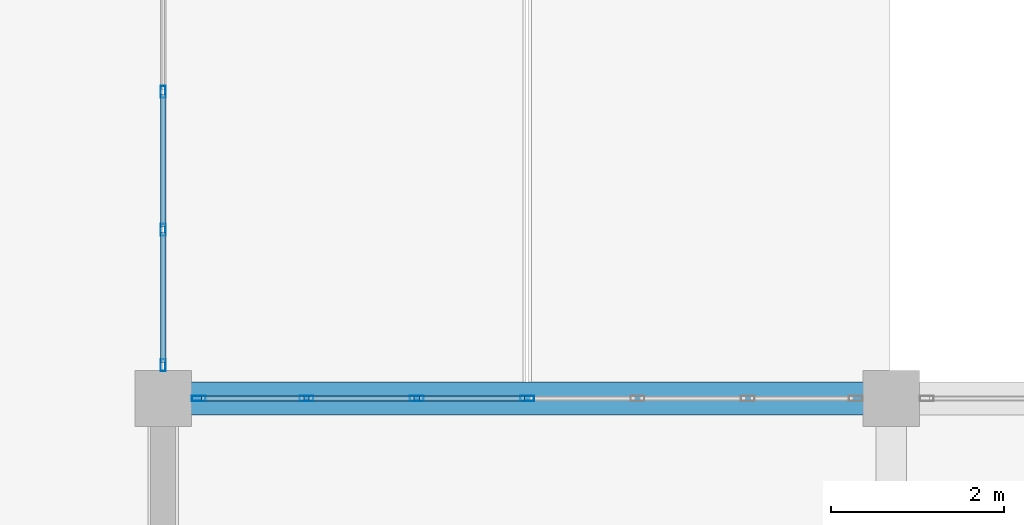
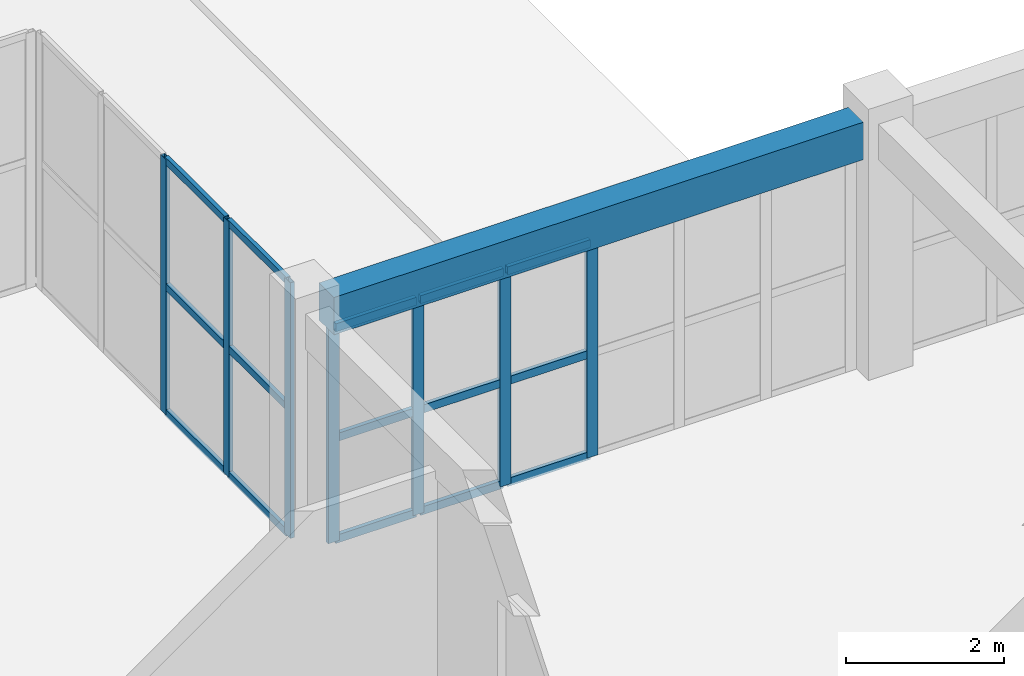
# One storey, part 38 of 90: 22 members, 1 beam, 2 elements without a shape of their own.
"""IFC4 building model written with IfcOpenShell, lengths in metres."""

from ifc_helpers import new_model, si_unit, direction, frame, origin, origin_2d, place, context, subcontext, project, spatial, rectangle, hollow_rectangle, extrude, material, layer, layer_set, material_profile, profile_set, type_object, element, aggregate, save


model = new_model("IFC4")

# Units and contexts
model_context = context("Model", 3, precision=1e-05, world=origin(), true_north=direction((0.0, 1.0)))
body_context = subcontext(model_context, "Body", "Model", "MODEL_VIEW")
ifc_project = project(units=[si_unit("LENGTHUNIT", "METRE"), si_unit("AREAUNIT", "SQUARE_METRE"), si_unit("VOLUMEUNIT", "CUBIC_METRE"), si_unit("PLANEANGLEUNIT", "RADIAN"), si_unit("MASSUNIT", "GRAM", prefix="KILO")], contexts=[model_context])

# Site, building, storey
site_placement = place(None, origin())
site = spatial("IfcSite", under=ifc_project, at=site_placement, CompositionType="ELEMENT")
building_placement = place(site_placement, origin())
building = spatial("IfcBuilding", under=site, at=building_placement, Name="Trelvath General Hospital", CompositionType="ELEMENT")
storey_placement = place(building_placement, frame((0.0, 0.0, 20.39990234375)))
storey = spatial("IfcBuildingStorey", under=building, at=storey_placement, Name="L05", CompositionType="ELEMENT", Elevation=20.39990234375)

# Beam
ifc_material_1 = material(Name="Concrete C35/45", Category="concrete")
ifc_material_profile_1 = material_profile(ifc_material_1, rectangle(XDim=0.3798828125, YDim=0.580078125, at=origin_2d()), Name="RCB380x580")
ifc_profile_set_1 = profile_set([ifc_material_profile_1], Name="Concrete C35/45")
beam_type = type_object("IfcBeamType", Name="Beam RC380x580", PredefinedType="BEAM", material=ifc_profile_set_1)
beam_placement = place(storey_placement, frame((75.919921875, 67.199951171875, 3.630126953125), z_axis=(1.0, 0.0, 0.0), x_axis=(0.0, 1.0, 0.0)))
element("IfcBeam", 1, at=beam_placement, inside=storey, type_object=beam_type, Name="Grid Beam BX-509I", PredefinedType="BEAM", context=body_context, shape_type="SweptSolid", body=[
    extrude(rectangle(XDim=0.3798828125, YDim=0.580078125, at=origin_2d()), origin(), (0.0, 0.0, 1.0), 7.760009765625),
])

# Curtain wall, members
ifc_material_2 = material(Name="Anodised aluminium and low-E glass", Category="aluminium")
ifc_layer_1 = layer(ifc_material_2, 0.14990234375)
ifc_layer_set_1 = layer_set([ifc_layer_1], Name="Anodised aluminium and low-E glass")
curtain_wall_type_1 = type_object("IfcCurtainWallType", Name="CW CrystalCube 636 396 15", PredefinedType="USERDEFINED", material=ifc_layer_set_1)
curtain_wall_1_placement = place(storey_placement, origin())
curtain_wall_1 = element("IfcCurtainWall", 2, at=curtain_wall_1_placement, inside=storey, type_object=curtain_wall_type_1, Name="Crystal Cube Curtain Wall CUBE-W-T2 E5 L05", ObjectType="Unitised Glazed Curtain Wall", PredefinedType="USERDEFINED")
ifc_material_3 = material(Name="Anodised aluminium", Category="aluminium")
ifc_material_profile_2 = material_profile(ifc_material_3, hollow_rectangle(XDim=0.06005859375, YDim=0.139892578125, WallThickness=0.00390625, at=origin_2d()), Name="RHS60x140x4")
ifc_profile_set_2 = profile_set([ifc_material_profile_2], Name="Anodised aluminium")
member_type_1 = type_object("IfcMemberType", Name="CurtainMullion 60x140", PredefinedType="MULLION", material=ifc_profile_set_2)
member_1_placement = place(storey_placement, frame((75.60009765625, 70.737548828125, 0.0), z_axis=(0.0, 0.0, 1.0), x_axis=(1.0, 0.0, 0.0)))
member_1 = element("IfcMember", 3, at=member_1_placement, type_object=member_type_1, Name="CW-314 mullion 3", PredefinedType="MULLION", context=body_context, shape_type="SweptSolid", body=[
    extrude(hollow_rectangle(XDim=0.06005859375, YDim=0.139892578125, WallThickness=0.00390625, at=origin_2d()), origin(), (0.0, 0.0, 1.0), 3.960205078125),
])
member_2_placement = place(storey_placement, frame((75.60009765625, 69.146240234375, 0.0), z_axis=(0.0, 0.0, 1.0), x_axis=(1.0, 0.0, 0.0)))
member_2 = element("IfcMember", 4, at=member_2_placement, type_object=member_type_1, Name="CW-314 mullion 4", PredefinedType="MULLION", context=body_context, shape_type="SweptSolid", body=[
    extrude(hollow_rectangle(XDim=0.06005859375, YDim=0.139892578125, WallThickness=0.00390625, at=origin_2d()), origin(), (0.0, 0.0, 1.0), 3.960205078125),
])
member_3_placement = place(storey_placement, frame((75.60009765625, 67.5849609375, 0.0), z_axis=(0.0, 0.0, 1.0), x_axis=(1.0, 0.0, 0.0)))
member_3 = element("IfcMember", 5, at=member_3_placement, type_object=member_type_1, Name="CW-314 mullion 5", PredefinedType="MULLION", context=body_context, shape_type="SweptSolid", body=[
    extrude(hollow_rectangle(XDim=0.06005859375, YDim=0.139892578125, WallThickness=0.00390625, at=origin_2d()), origin(), (0.0, 0.0, 1.0), 3.960205078125),
])

ifc_material_4 = material(Name="Anodised aluminium and low-E glass", Category="aluminium")
ifc_layer_2 = layer(ifc_material_4, 0.14990234375)
ifc_layer_set_2 = layer_set([ifc_layer_2], Name="Anodised aluminium and low-E glass")
curtain_wall_type_2 = type_object("IfcCurtainWallType", Name="CW Facade 764 334 15", PredefinedType="USERDEFINED", material=ifc_layer_set_2)
curtain_wall_2_placement = place(storey_placement, origin())
curtain_wall_2 = element("IfcCurtainWall", 6, at=curtain_wall_2_placement, inside=storey, type_object=curtain_wall_type_2, Name="Facade Curtain Wall CW-071", ObjectType="Unitised Glazed Curtain Wall", PredefinedType="USERDEFINED")
ifc_material_5 = material(Name="Anodised aluminium", Category="aluminium")
ifc_material_profile_3 = material_profile(ifc_material_5, hollow_rectangle(XDim=0.06005859375, YDim=0.159912109375, WallThickness=0.00390625, at=origin_2d()), Name="RHS60x160x4")
ifc_profile_set_3 = profile_set([ifc_material_profile_3], Name="Anodised aluminium")
member_type_2 = type_object("IfcMemberType", Name="CurtainMullion 60x160", PredefinedType="MULLION", material=ifc_profile_set_3)
member_4_placement = place(storey_placement, frame((76.010009765625, 67.199951171875, 0.0), z_axis=(0.0, 0.0, 1.0), x_axis=(0.0, 1.0, 0.0)))
member_4 = element("IfcMember", 7, at=member_4_placement, type_object=member_type_2, Name="CW-071 mullion 1", PredefinedType="MULLION", context=body_context, shape_type="SweptSolid", body=[
    extrude(hollow_rectangle(XDim=0.06005859375, YDim=0.159912109375, WallThickness=0.00390625, at=origin_2d()), origin(), (0.0, 0.0, 1.0), 3.340087890625),
])
member_5_placement = place(storey_placement, frame((77.25341796875, 67.199951171875, 0.0), z_axis=(0.0, 0.0, 1.0), x_axis=(0.0, 1.0, 0.0)))
member_5 = element("IfcMember", 8, at=member_5_placement, type_object=member_type_2, Name="CW-071 mullion 2", PredefinedType="MULLION", context=body_context, shape_type="SweptSolid", body=[
    extrude(hollow_rectangle(XDim=0.06005859375, YDim=0.159912109375, WallThickness=0.00390625, at=origin_2d()), origin(), (0.0, 0.0, 1.0), 3.340087890625),
])
member_6_placement = place(storey_placement, frame((78.526611328125, 67.199951171875, 0.0), z_axis=(0.0, 0.0, 1.0), x_axis=(0.0, 1.0, 0.0)))
member_6 = element("IfcMember", 9, at=member_6_placement, type_object=member_type_2, Name="CW-071 mullion 3", PredefinedType="MULLION", context=body_context, shape_type="SweptSolid", body=[
    extrude(hollow_rectangle(XDim=0.06005859375, YDim=0.159912109375, WallThickness=0.00390625, at=origin_2d()), origin(), (0.0, 0.0, 1.0), 3.340087890625),
])
member_7_placement = place(storey_placement, frame((79.800048828125, 67.199951171875, 0.0), z_axis=(0.0, 0.0, 1.0), x_axis=(0.0, 1.0, 0.0)))
member_7 = element("IfcMember", 10, at=member_7_placement, type_object=member_type_2, Name="CW-071 mullion 4", PredefinedType="MULLION", context=body_context, shape_type="SweptSolid", body=[
    extrude(hollow_rectangle(XDim=0.06005859375, YDim=0.159912109375, WallThickness=0.00390625, at=origin_2d()), origin(), (0.0, 0.0, 1.0), 3.340087890625),
])

# Member
ifc_material_6 = material(Name="Anodised aluminium", Category="aluminium")
ifc_material_profile_4 = material_profile(ifc_material_6, hollow_rectangle(XDim=0.06005859375, YDim=0.110107421875, WallThickness=0.00390625, at=origin_2d()), Name="RHS60x110x4")
ifc_profile_set_4 = profile_set([ifc_material_profile_4], Name="Anodised aluminium")
member_type_3 = type_object("IfcMemberType", Name="CurtainTransom 60x110", PredefinedType="USERDEFINED", material=ifc_profile_set_4)
member_8_placement = place(storey_placement, frame((75.60009765625, 70.70751953125, 0.030029296875), z_axis=(0.0, -1.0, 0.0), x_axis=(1.0, 0.0, 0.0)))
member_8 = element("IfcMember", 11, at=member_8_placement, type_object=member_type_3, Name="CW-314 transom 3.1", ObjectType="TRANSOM", PredefinedType="USERDEFINED", context=body_context, shape_type="SweptSolid", body=[
    extrude(hollow_rectangle(XDim=0.06005859375, YDim=0.110107421875, WallThickness=0.00390625, at=origin_2d()), origin(), (0.0, 0.0, 1.0), 1.53125),
])

member_9_placement = place(storey_placement, frame((75.60009765625, 70.70751953125, 1.97998046875), z_axis=(0.0, -1.0, 0.0), x_axis=(1.0, 0.0, 0.0)))
member_9 = element("IfcMember", 12, at=member_9_placement, type_object=member_type_3, Name="CW-314 transom 3.2", ObjectType="TRANSOM", PredefinedType="USERDEFINED", context=body_context, shape_type="SweptSolid", body=[
    extrude(hollow_rectangle(XDim=0.06005859375, YDim=0.110107421875, WallThickness=0.00390625, at=origin_2d()), origin(), (0.0, 0.0, 1.0), 1.53125),
])

member_10_placement = place(storey_placement, frame((75.60009765625, 70.70751953125, 3.93017578125), z_axis=(0.0, -1.0, 0.0), x_axis=(1.0, 0.0, 0.0)))
member_10 = element("IfcMember", 13, at=member_10_placement, type_object=member_type_3, Name="CW-314 transom 3.3", ObjectType="TRANSOM", PredefinedType="USERDEFINED", context=body_context, shape_type="SweptSolid", body=[
    extrude(hollow_rectangle(XDim=0.06005859375, YDim=0.110107421875, WallThickness=0.00390625, at=origin_2d()), origin(), (0.0, 0.0, 1.0), 1.53125),
])

member_11_placement = place(storey_placement, frame((75.60009765625, 69.1162109375, 0.030029296875), z_axis=(0.0, -1.0, 0.0), x_axis=(1.0, 0.0, 0.0)))
member_11 = element("IfcMember", 14, at=member_11_placement, type_object=member_type_3, Name="CW-314 transom 4.1", ObjectType="TRANSOM", PredefinedType="USERDEFINED", context=body_context, shape_type="SweptSolid", body=[
    extrude(hollow_rectangle(XDim=0.06005859375, YDim=0.110107421875, WallThickness=0.00390625, at=origin_2d()), origin(), (0.0, 0.0, 1.0), 1.501220703125),
])

member_12_placement = place(storey_placement, frame((75.60009765625, 69.1162109375, 1.97998046875), z_axis=(0.0, -1.0, 0.0), x_axis=(1.0, 0.0, 0.0)))
member_12 = element("IfcMember", 15, at=member_12_placement, type_object=member_type_3, Name="CW-314 transom 4.2", ObjectType="TRANSOM", PredefinedType="USERDEFINED", context=body_context, shape_type="SweptSolid", body=[
    extrude(hollow_rectangle(XDim=0.06005859375, YDim=0.110107421875, WallThickness=0.00390625, at=origin_2d()), origin(), (0.0, 0.0, 1.0), 1.501220703125),
])

member_13_placement = place(storey_placement, frame((75.60009765625, 69.1162109375, 3.93017578125), z_axis=(0.0, -1.0, 0.0), x_axis=(1.0, 0.0, 0.0)))
member_13 = element("IfcMember", 16, at=member_13_placement, type_object=member_type_3, Name="CW-314 transom 4.3", ObjectType="TRANSOM", PredefinedType="USERDEFINED", context=body_context, shape_type="SweptSolid", body=[
    extrude(hollow_rectangle(XDim=0.06005859375, YDim=0.110107421875, WallThickness=0.00390625, at=origin_2d()), origin(), (0.0, 0.0, 1.0), 1.501220703125),
])

aggregate(curtain_wall_1, [member_1, member_2, member_3, member_8, member_9, member_10, member_11, member_12, member_13])

ifc_material_7 = material(Name="Anodised aluminium", Category="aluminium")
ifc_material_profile_5 = material_profile(ifc_material_7, hollow_rectangle(XDim=0.06005859375, YDim=0.125, WallThickness=0.00390625, at=origin_2d()), Name="RHS60x125x4")
ifc_profile_set_5 = profile_set([ifc_material_profile_5], Name="Anodised aluminium")
member_type_4 = type_object("IfcMemberType", Name="CurtainTransom 60x125", PredefinedType="USERDEFINED", material=ifc_profile_set_5)
member_14_placement = place(storey_placement, frame((76.0400390625, 67.199951171875, 0.030029296875), z_axis=(1.0, 0.0, 0.0), x_axis=(0.0, 1.0, 0.0)))
member_14 = element("IfcMember", 17, at=member_14_placement, type_object=member_type_4, Name="CW-071 transom 1.1", ObjectType="TRANSOM", PredefinedType="USERDEFINED", context=body_context, shape_type="SweptSolid", body=[
    extrude(hollow_rectangle(XDim=0.06005859375, YDim=0.125, WallThickness=0.00390625, at=origin_2d()), origin(), (0.0, 0.0, 1.0), 1.183349609375),
])

member_15_placement = place(storey_placement, frame((76.0400390625, 67.199951171875, 1.60302734375), z_axis=(1.0, 0.0, 0.0), x_axis=(0.0, 1.0, 0.0)))
member_15 = element("IfcMember", 18, at=member_15_placement, type_object=member_type_4, Name="CW-071 transom 1.2", ObjectType="TRANSOM", PredefinedType="USERDEFINED", context=body_context, shape_type="SweptSolid", body=[
    extrude(hollow_rectangle(XDim=0.06005859375, YDim=0.125, WallThickness=0.00390625, at=origin_2d()), origin(), (0.0, 0.0, 1.0), 1.183349609375),
])

member_16_placement = place(storey_placement, frame((76.0400390625, 67.199951171875, 3.31005859375), z_axis=(1.0, 0.0, 0.0), x_axis=(0.0, 1.0, 0.0)))
member_16 = element("IfcMember", 19, at=member_16_placement, type_object=member_type_4, Name="CW-071 transom 1.3", ObjectType="TRANSOM", PredefinedType="USERDEFINED", context=body_context, shape_type="SweptSolid", body=[
    extrude(hollow_rectangle(XDim=0.06005859375, YDim=0.125, WallThickness=0.00390625, at=origin_2d()), origin(), (0.0, 0.0, 1.0), 1.183349609375),
])

member_17_placement = place(storey_placement, frame((77.283447265625, 67.199951171875, 0.030029296875), z_axis=(1.0, 0.0, 0.0), x_axis=(0.0, 1.0, 0.0)))
member_17 = element("IfcMember", 20, at=member_17_placement, type_object=member_type_4, Name="CW-071 transom 2.1", ObjectType="TRANSOM", PredefinedType="USERDEFINED", context=body_context, shape_type="SweptSolid", body=[
    extrude(hollow_rectangle(XDim=0.06005859375, YDim=0.125, WallThickness=0.00390625, at=origin_2d()), origin(), (0.0, 0.0, 1.0), 1.213134765625),
])

member_18_placement = place(storey_placement, frame((77.283447265625, 67.199951171875, 1.60302734375), z_axis=(1.0, 0.0, 0.0), x_axis=(0.0, 1.0, 0.0)))
member_18 = element("IfcMember", 21, at=member_18_placement, type_object=member_type_4, Name="CW-071 transom 2.2", ObjectType="TRANSOM", PredefinedType="USERDEFINED", context=body_context, shape_type="SweptSolid", body=[
    extrude(hollow_rectangle(XDim=0.06005859375, YDim=0.125, WallThickness=0.00390625, at=origin_2d()), origin(), (0.0, 0.0, 1.0), 1.213134765625),
])

member_19_placement = place(storey_placement, frame((77.283447265625, 67.199951171875, 3.31005859375), z_axis=(1.0, 0.0, 0.0), x_axis=(0.0, 1.0, 0.0)))
member_19 = element("IfcMember", 22, at=member_19_placement, type_object=member_type_4, Name="CW-071 transom 2.3", ObjectType="TRANSOM", PredefinedType="USERDEFINED", context=body_context, shape_type="SweptSolid", body=[
    extrude(hollow_rectangle(XDim=0.06005859375, YDim=0.125, WallThickness=0.00390625, at=origin_2d()), origin(), (0.0, 0.0, 1.0), 1.213134765625),
])

member_20_placement = place(storey_placement, frame((78.556640625, 67.199951171875, 0.030029296875), z_axis=(1.0, 0.0, 0.0), x_axis=(0.0, 1.0, 0.0)))
member_20 = element("IfcMember", 23, at=member_20_placement, type_object=member_type_4, Name="CW-071 transom 3.1", ObjectType="TRANSOM", PredefinedType="USERDEFINED", context=body_context, shape_type="SweptSolid", body=[
    extrude(hollow_rectangle(XDim=0.06005859375, YDim=0.125, WallThickness=0.00390625, at=origin_2d()), origin(), (0.0, 0.0, 1.0), 1.21337890625),
])

member_21_placement = place(storey_placement, frame((78.556640625, 67.199951171875, 1.60302734375), z_axis=(1.0, 0.0, 0.0), x_axis=(0.0, 1.0, 0.0)))
member_21 = element("IfcMember", 24, at=member_21_placement, type_object=member_type_4, Name="CW-071 transom 3.2", ObjectType="TRANSOM", PredefinedType="USERDEFINED", context=body_context, shape_type="SweptSolid", body=[
    extrude(hollow_rectangle(XDim=0.06005859375, YDim=0.125, WallThickness=0.00390625, at=origin_2d()), origin(), (0.0, 0.0, 1.0), 1.21337890625),
])

member_22_placement = place(storey_placement, frame((78.556640625, 67.199951171875, 3.31005859375), z_axis=(1.0, 0.0, 0.0), x_axis=(0.0, 1.0, 0.0)))
member_22 = element("IfcMember", 25, at=member_22_placement, type_object=member_type_4, Name="CW-071 transom 3.3", ObjectType="TRANSOM", PredefinedType="USERDEFINED", context=body_context, shape_type="SweptSolid", body=[
    extrude(hollow_rectangle(XDim=0.06005859375, YDim=0.125, WallThickness=0.00390625, at=origin_2d()), origin(), (0.0, 0.0, 1.0), 1.21337890625),
])

aggregate(curtain_wall_2, [member_4, member_5, member_6, member_7, member_14, member_15, member_16, member_17, member_18, member_19, member_20, member_21, member_22])

save(model, "model.ifc")
